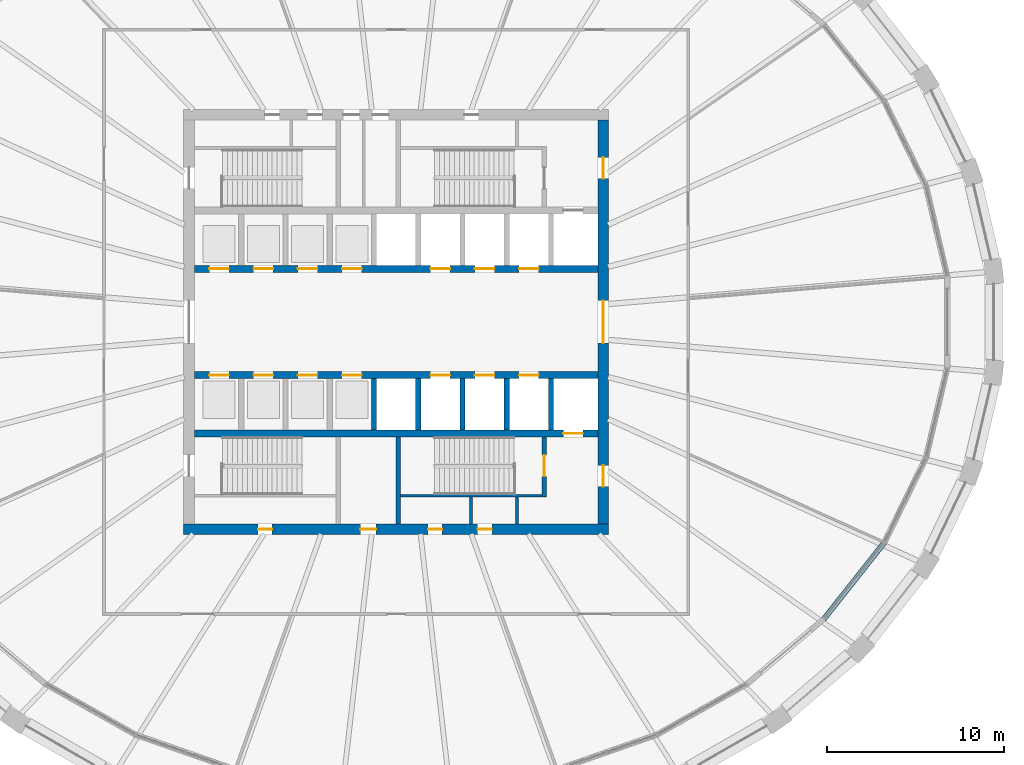
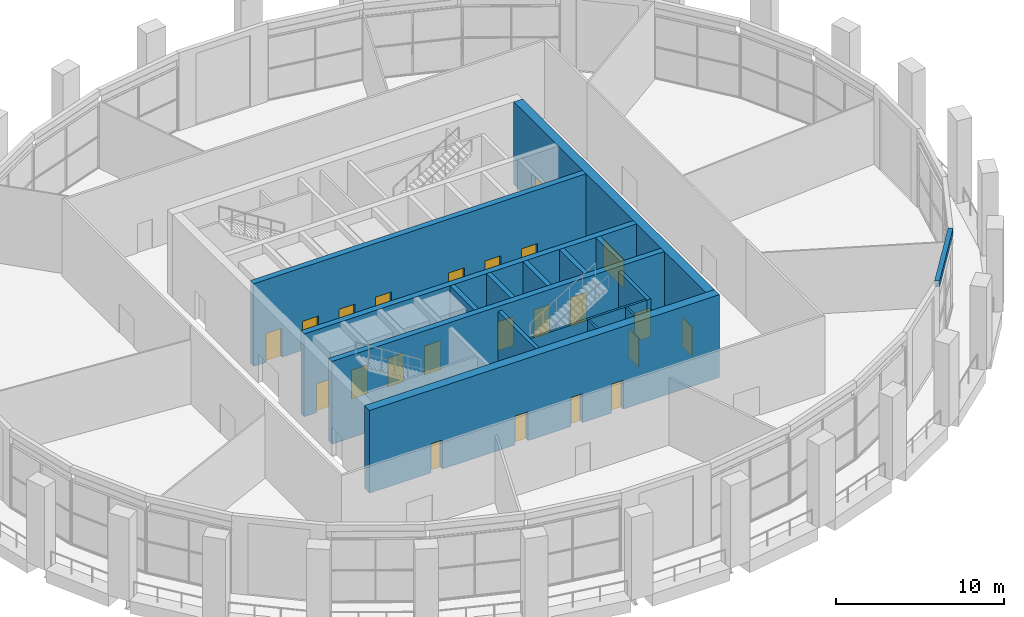
# One storey, part 13 of 19: 23 doors, 16 walls, 23 openings.
"""IFC4 building model written with IfcOpenShell, lengths in metres."""

from ifc_helpers import new_model, si_unit, direction, frame, frame_2d, origin, place, context, subcontext, project, spatial, polyline, rectangle, outline, extrude, material, layer, layer_set, type_object, element, fill, save


model = new_model("IFC4")

# Units and contexts
model_context = context("Model", 3, precision=1e-05, world=origin(), true_north=direction((0.0, 1.0)))
body_context = subcontext(model_context, "Body", "Model", "MODEL_VIEW")
ifc_project = project(units=[si_unit("LENGTHUNIT", "METRE"), si_unit("AREAUNIT", "SQUARE_METRE"), si_unit("VOLUMEUNIT", "CUBIC_METRE"), si_unit("PLANEANGLEUNIT", "RADIAN"), si_unit("MASSUNIT", "GRAM", prefix="KILO")], contexts=[model_context])

# Site, building, storey
site_placement = place(None, origin())
site = spatial("IfcSite", under=ifc_project, at=site_placement, CompositionType="ELEMENT")
building_placement = place(site_placement, origin())
building = spatial("IfcBuilding", under=site, at=building_placement, Name="Halqa Exchange Tower", CompositionType="ELEMENT")
storey_placement = place(building_placement, frame((0.0, 0.0, 167.5)))
storey = spatial("IfcBuildingStorey", under=building, at=storey_placement, Name="L38", CompositionType="ELEMENT", Elevation=167.5)

# Walls
ifc_material_1 = material(Name="Gypsum board")
ifc_layer_1 = layer(ifc_material_1, 0.14990234375)
ifc_layer_set_1 = layer_set([ifc_layer_1], Name="Gypsum board")
wall_type_1 = type_object("IfcWallType", Name="Penthouse riser wall 150 gypsum", PredefinedType="PARTITIONING", material=ifc_layer_set_1)
for number, where, z_axis, x_axis, name in (
    (1, (4.22509765625, -11.39990234375, 0.0), (0.0, 0.0, 1.0), (0.0, 1.0, 0.0), "Partition E4.225 S"),
    (2, (6.824951171875, -11.39990234375, 0.0), (0.0, 0.0, 1.0), (0.0, 1.0, 0.0), "Firefighting lobby west wall S"),
):
    element("IfcWall", number, at=place(storey_placement, frame(where, z_axis=z_axis, x_axis=x_axis)), inside=storey, type_object=wall_type_1, Name=name, PredefinedType="PARTITIONING", context=body_context, shape_type="SweptSolid", body=[
        extrude(rectangle(XDim=1.5, YDim=0.14990234375, at=frame_2d((0.75, 0.0))), origin(), (0.0, 0.0, 1.0), 5.64990234375),
    ])
ifc_material_2 = material(Name="Concrete C60/75", Category="concrete")
ifc_layer_2 = layer(ifc_material_2, 0.300048828125)
ifc_layer_set_2 = layer_set([ifc_layer_2], Name="Concrete C60/75")
wall_type_2 = type_object("IfcWallType", Name="RC core wall 300", PredefinedType="SHEAR", material=ifc_layer_set_2)
for number, where, z_axis, x_axis, name in (
    (3, (-1.25, -6.10009765625, 0.0), (0.0, 0.0, 1.0), (0.0, 1.0, 0.0), "Shaft divider S4"),
    (4, (1.25, -6.10009765625, 0.0), (0.0, 0.0, 1.0), (0.0, 1.0, 0.0), "Shaft divider S5"),
    (5, (3.75, -6.10009765625, 0.0), (0.0, 0.0, 1.0), (0.0, 1.0, 0.0), "Shaft divider S6"),
    (6, (6.25, -6.10009765625, 0.0), (0.0, 0.0, 1.0), (0.0, 1.0, 0.0), "Shaft divider S7"),
    (7, (8.75, -6.10009765625, 0.0), (0.0, 0.0, 1.0), (0.0, 1.0, 0.0), "Shaft divider S8"),
):
    element("IfcWall", number, at=place(storey_placement, frame(where, z_axis=z_axis, x_axis=x_axis)), inside=storey, type_object=wall_type_2, Name=name, PredefinedType="SHEAR", context=body_context, shape_type="SweptSolid", body=[
        extrude(rectangle(XDim=2.900146484375, YDim=0.300048828125, at=frame_2d((1.4501953125, 0.0))), origin(), (0.0, 0.0, 1.0), 6.0),
    ])

# Wall, openings, doors
ifc_material_3 = material(Name="Concrete C70/85", Category="concrete")
ifc_layer_3 = layer(ifc_material_3, 0.39990234375)
ifc_layer_set_3 = layer_set([ifc_layer_3], Name="Concrete C70/85")
wall_type_3 = type_object("IfcWallType", Name="RC core wall 400 C70/85", PredefinedType="SHEAR", material=ifc_layer_set_3)
wall_1_placement = place(storey_placement, frame((-11.39990234375, 3.0, 0.0), z_axis=(0.0, 0.0, 1.0), x_axis=(1.0, 0.0, 0.0)))
wall_1 = element("IfcWall", 8, at=wall_1_placement, inside=storey, type_object=wall_type_3, Name="Lift row front wall N", PredefinedType="SHEAR", context=body_context, shape_type="SweptSolid", body=[
    extrude(rectangle(XDim=22.7998046875, YDim=0.39990234375, at=frame_2d((11.39990234375, 0.0))), origin(), (0.0, 0.0, 1.0), 6.0),
])
opening_1_placement = place(wall_1_placement, frame((0.85009765625, 0.0, 0.0)))
opening_1 = element("IfcOpeningElement", 9, at=opening_1_placement, cuts=wall_1, Name="Opening LD-HR1-L38", PredefinedType="OPENING", context=body_context, shape_type="SweptSolid", body=[
    extrude(rectangle(XDim=1.10009765625, YDim=2.10009765625, at=frame_2d((0.550048828125, 1.050048828125))), frame((0.0, 0.2119140625, 0.0), z_axis=(0.0, -1.0, 0.0), x_axis=(1.0, 0.0, 0.0)), (0.0, 0.0, 1.0), 0.423828125),
])
opening_2_placement = place(wall_1_placement, frame((3.35009765625, 0.0, 0.0)))
opening_2 = element("IfcOpeningElement", 10, at=opening_2_placement, cuts=wall_1, Name="Opening LD-HR2-L38", PredefinedType="OPENING", context=body_context, shape_type="SweptSolid", body=[
    extrude(rectangle(XDim=1.10009765625, YDim=2.10009765625, at=frame_2d((0.550048828125, 1.050048828125))), frame((0.0, 0.2119140625, 0.0), z_axis=(0.0, -1.0, 0.0), x_axis=(1.0, 0.0, 0.0)), (0.0, 0.0, 1.0), 0.423828125),
])
opening_3_placement = place(wall_1_placement, frame((5.85009765625, 0.0, 0.0)))
opening_3 = element("IfcOpeningElement", 11, at=opening_3_placement, cuts=wall_1, Name="Opening LD-MR1-L38", PredefinedType="OPENING", context=body_context, shape_type="SweptSolid", body=[
    extrude(rectangle(XDim=1.10009765625, YDim=2.10009765625, at=frame_2d((0.550048828125, 1.050048828125))), frame((0.0, 0.2119140625, 0.0), z_axis=(0.0, -1.0, 0.0), x_axis=(1.0, 0.0, 0.0)), (0.0, 0.0, 1.0), 0.423828125),
])
opening_4_placement = place(wall_1_placement, frame((8.35009765625, 0.0, 0.0)))
opening_4 = element("IfcOpeningElement", 12, at=opening_4_placement, cuts=wall_1, Name="Opening LD-MR2-L38", PredefinedType="OPENING", context=body_context, shape_type="SweptSolid", body=[
    extrude(rectangle(XDim=1.10009765625, YDim=2.10009765625, at=frame_2d((0.550048828125, 1.050048828125))), frame((0.0, 0.2119140625, 0.0), z_axis=(0.0, -1.0, 0.0), x_axis=(1.0, 0.0, 0.0)), (0.0, 0.0, 1.0), 0.423828125),
])
opening_5_placement = place(wall_1_placement, frame((13.35009765625, 0.0, 0.0)))
opening_5 = element("IfcOpeningElement", 13, at=opening_5_placement, cuts=wall_1, Name="Opening LD-SH1-L38", PredefinedType="OPENING", context=body_context, shape_type="SweptSolid", body=[
    extrude(rectangle(XDim=1.10009765625, YDim=2.10009765625, at=frame_2d((0.550048828125, 1.050048828125))), frame((0.0, 0.2119140625, 0.0), z_axis=(0.0, -1.0, 0.0), x_axis=(1.0, 0.0, 0.0)), (0.0, 0.0, 1.0), 0.423828125),
])
opening_6_placement = place(wall_1_placement, frame((15.85009765625, 0.0, 0.0)))
opening_6 = element("IfcOpeningElement", 14, at=opening_6_placement, cuts=wall_1, Name="Opening LD-SH2-L38", PredefinedType="OPENING", context=body_context, shape_type="SweptSolid", body=[
    extrude(rectangle(XDim=1.10009765625, YDim=2.10009765625, at=frame_2d((0.550048828125, 1.050048828125))), frame((0.0, 0.2119140625, 0.0), z_axis=(0.0, -1.0, 0.0), x_axis=(1.0, 0.0, 0.0)), (0.0, 0.0, 1.0), 0.423828125),
])
opening_7_placement = place(wall_1_placement, frame((18.35009765625, 0.0, 0.0)))
opening_7 = element("IfcOpeningElement", 15, at=opening_7_placement, cuts=wall_1, Name="Opening LD-SV1-L38", PredefinedType="OPENING", context=body_context, shape_type="SweptSolid", body=[
    extrude(rectangle(XDim=1.10009765625, YDim=2.10009765625, at=frame_2d((0.550048828125, 1.050048828125))), frame((0.0, 0.2119140625, 0.0), z_axis=(0.0, -1.0, 0.0), x_axis=(1.0, 0.0, 0.0)), (0.0, 0.0, 1.0), 0.423828125),
])
ifc_material_4 = material(Name="Stainless steel", Category="steel")
door_type_1 = type_object("IfcDoorType", Name="Lift landing door 1100 x 2100", OperationType="SLIDING_TO_LEFT", PredefinedType="DOOR", material=ifc_material_4)
door_1_placement = place(opening_1_placement, origin())
door_1 = element("IfcDoor", 16, at=door_1_placement, inside=storey, type_object=door_type_1, Name="Lift landing door HR1", OperationType="SLIDING_TO_LEFT", OverallHeight=2.10009765625, OverallWidth=1.10009765625, PredefinedType="DOOR", context=body_context, shape_type="SweptSolid", body=[
    extrude(rectangle(XDim=1.10009765625, YDim=2.10009765625, at=frame_2d((0.550048828125, 1.050048828125))), frame((0.0, 0.02490234375, 0.0), z_axis=(0.0, -1.0, 0.0), x_axis=(1.0, 0.0, 0.0)), (0.0, 0.0, 1.0), 0.050048828125),
])
fill(opening_1, door_1)
door_2_placement = place(opening_2_placement, origin())
door_2 = element("IfcDoor", 17, at=door_2_placement, inside=storey, type_object=door_type_1, Name="Lift landing door HR2", OperationType="SLIDING_TO_LEFT", OverallHeight=2.10009765625, OverallWidth=1.10009765625, PredefinedType="DOOR", context=body_context, shape_type="SweptSolid", body=[
    extrude(rectangle(XDim=1.10009765625, YDim=2.10009765625, at=frame_2d((0.550048828125, 1.050048828125))), frame((0.0, 0.02490234375, 0.0), z_axis=(0.0, -1.0, 0.0), x_axis=(1.0, 0.0, 0.0)), (0.0, 0.0, 1.0), 0.050048828125),
])
fill(opening_2, door_2)
door_3_placement = place(opening_3_placement, origin())
door_3 = element("IfcDoor", 18, at=door_3_placement, inside=storey, type_object=door_type_1, Name="Lift landing door MR1", OperationType="SLIDING_TO_LEFT", OverallHeight=2.10009765625, OverallWidth=1.10009765625, PredefinedType="DOOR", context=body_context, shape_type="SweptSolid", body=[
    extrude(rectangle(XDim=1.10009765625, YDim=2.10009765625, at=frame_2d((0.550048828125, 1.050048828125))), frame((0.0, 0.02490234375, 0.0), z_axis=(0.0, -1.0, 0.0), x_axis=(1.0, 0.0, 0.0)), (0.0, 0.0, 1.0), 0.050048828125),
])
fill(opening_3, door_3)
door_4_placement = place(opening_4_placement, origin())
door_4 = element("IfcDoor", 19, at=door_4_placement, inside=storey, type_object=door_type_1, Name="Lift landing door MR2", OperationType="SLIDING_TO_LEFT", OverallHeight=2.10009765625, OverallWidth=1.10009765625, PredefinedType="DOOR", context=body_context, shape_type="SweptSolid", body=[
    extrude(rectangle(XDim=1.10009765625, YDim=2.10009765625, at=frame_2d((0.550048828125, 1.050048828125))), frame((0.0, 0.02490234375, 0.0), z_axis=(0.0, -1.0, 0.0), x_axis=(1.0, 0.0, 0.0)), (0.0, 0.0, 1.0), 0.050048828125),
])
fill(opening_4, door_4)
door_5_placement = place(opening_5_placement, origin())
door_5 = element("IfcDoor", 20, at=door_5_placement, inside=storey, type_object=door_type_1, Name="Lift landing door SH1", OperationType="SLIDING_TO_LEFT", OverallHeight=2.10009765625, OverallWidth=1.10009765625, PredefinedType="DOOR", context=body_context, shape_type="SweptSolid", body=[
    extrude(rectangle(XDim=1.10009765625, YDim=2.10009765625, at=frame_2d((0.550048828125, 1.050048828125))), frame((0.0, 0.02490234375, 0.0), z_axis=(0.0, -1.0, 0.0), x_axis=(1.0, 0.0, 0.0)), (0.0, 0.0, 1.0), 0.050048828125),
])
fill(opening_5, door_5)
door_6_placement = place(opening_6_placement, origin())
door_6 = element("IfcDoor", 21, at=door_6_placement, inside=storey, type_object=door_type_1, Name="Lift landing door SH2", OperationType="SLIDING_TO_LEFT", OverallHeight=2.10009765625, OverallWidth=1.10009765625, PredefinedType="DOOR", context=body_context, shape_type="SweptSolid", body=[
    extrude(rectangle(XDim=1.10009765625, YDim=2.10009765625, at=frame_2d((0.550048828125, 1.050048828125))), frame((0.0, 0.02490234375, 0.0), z_axis=(0.0, -1.0, 0.0), x_axis=(1.0, 0.0, 0.0)), (0.0, 0.0, 1.0), 0.050048828125),
])
fill(opening_6, door_6)
door_7_placement = place(opening_7_placement, origin())
door_7 = element("IfcDoor", 22, at=door_7_placement, inside=storey, type_object=door_type_1, Name="Lift landing door SV1", OperationType="SLIDING_TO_LEFT", OverallHeight=2.10009765625, OverallWidth=1.10009765625, PredefinedType="DOOR", context=body_context, shape_type="SweptSolid", body=[
    extrude(rectangle(XDim=1.10009765625, YDim=2.10009765625, at=frame_2d((0.550048828125, 1.050048828125))), frame((0.0, 0.02490234375, 0.0), z_axis=(0.0, -1.0, 0.0), x_axis=(1.0, 0.0, 0.0)), (0.0, 0.0, 1.0), 0.050048828125),
])
fill(opening_7, door_7)

wall_2_placement = place(storey_placement, frame((-11.39990234375, -3.0, 0.0), z_axis=(0.0, 0.0, 1.0), x_axis=(1.0, 0.0, 0.0)))
wall_2 = element("IfcWall", 23, at=wall_2_placement, inside=storey, type_object=wall_type_3, Name="Lift row front wall S", PredefinedType="SHEAR", context=body_context, shape_type="SweptSolid", body=[
    extrude(rectangle(XDim=22.7998046875, YDim=0.39990234375, at=frame_2d((11.39990234375, 0.0))), origin(), (0.0, 0.0, 1.0), 6.0),
])
opening_8_placement = place(wall_2_placement, frame((0.85009765625, 0.0, 0.0)))
opening_8 = element("IfcOpeningElement", 24, at=opening_8_placement, cuts=wall_2, Name="Opening LD-HR3-L38", PredefinedType="OPENING", context=body_context, shape_type="SweptSolid", body=[
    extrude(rectangle(XDim=1.10009765625, YDim=2.10009765625, at=frame_2d((0.550048828125, 1.050048828125))), frame((0.0, 0.2119140625, 0.0), z_axis=(0.0, -1.0, 0.0), x_axis=(1.0, 0.0, 0.0)), (0.0, 0.0, 1.0), 0.423828125),
])
opening_9_placement = place(wall_2_placement, frame((3.35009765625, 0.0, 0.0)))
opening_9 = element("IfcOpeningElement", 25, at=opening_9_placement, cuts=wall_2, Name="Opening LD-HR4-L38", PredefinedType="OPENING", context=body_context, shape_type="SweptSolid", body=[
    extrude(rectangle(XDim=1.10009765625, YDim=2.10009765625, at=frame_2d((0.550048828125, 1.050048828125))), frame((0.0, 0.2119140625, 0.0), z_axis=(0.0, -1.0, 0.0), x_axis=(1.0, 0.0, 0.0)), (0.0, 0.0, 1.0), 0.423828125),
])
opening_10_placement = place(wall_2_placement, frame((5.85009765625, 0.0, 0.0)))
opening_10 = element("IfcOpeningElement", 26, at=opening_10_placement, cuts=wall_2, Name="Opening LD-MR3-L38", PredefinedType="OPENING", context=body_context, shape_type="SweptSolid", body=[
    extrude(rectangle(XDim=1.10009765625, YDim=2.10009765625, at=frame_2d((0.550048828125, 1.050048828125))), frame((0.0, 0.2119140625, 0.0), z_axis=(0.0, -1.0, 0.0), x_axis=(1.0, 0.0, 0.0)), (0.0, 0.0, 1.0), 0.423828125),
])
opening_11_placement = place(wall_2_placement, frame((8.35009765625, 0.0, 0.0)))
opening_11 = element("IfcOpeningElement", 27, at=opening_11_placement, cuts=wall_2, Name="Opening LD-MR4-L38", PredefinedType="OPENING", context=body_context, shape_type="SweptSolid", body=[
    extrude(rectangle(XDim=1.10009765625, YDim=2.10009765625, at=frame_2d((0.550048828125, 1.050048828125))), frame((0.0, 0.2119140625, 0.0), z_axis=(0.0, -1.0, 0.0), x_axis=(1.0, 0.0, 0.0)), (0.0, 0.0, 1.0), 0.423828125),
])
opening_12_placement = place(wall_2_placement, frame((13.35009765625, 0.0, 0.0)))
opening_12 = element("IfcOpeningElement", 28, at=opening_12_placement, cuts=wall_2, Name="Opening LD-SH3-L38", PredefinedType="OPENING", context=body_context, shape_type="SweptSolid", body=[
    extrude(rectangle(XDim=1.10009765625, YDim=2.10009765625, at=frame_2d((0.550048828125, 1.050048828125))), frame((0.0, 0.2119140625, 0.0), z_axis=(0.0, -1.0, 0.0), x_axis=(1.0, 0.0, 0.0)), (0.0, 0.0, 1.0), 0.423828125),
])
opening_13_placement = place(wall_2_placement, frame((15.85009765625, 0.0, 0.0)))
opening_13 = element("IfcOpeningElement", 29, at=opening_13_placement, cuts=wall_2, Name="Opening LD-SH4-L38", PredefinedType="OPENING", context=body_context, shape_type="SweptSolid", body=[
    extrude(rectangle(XDim=1.10009765625, YDim=2.10009765625, at=frame_2d((0.550048828125, 1.050048828125))), frame((0.0, 0.2119140625, 0.0), z_axis=(0.0, -1.0, 0.0), x_axis=(1.0, 0.0, 0.0)), (0.0, 0.0, 1.0), 0.423828125),
])
opening_14_placement = place(wall_2_placement, frame((18.35009765625, 0.0, 0.0)))
opening_14 = element("IfcOpeningElement", 30, at=opening_14_placement, cuts=wall_2, Name="Opening LD-SV2-L38", PredefinedType="OPENING", context=body_context, shape_type="SweptSolid", body=[
    extrude(rectangle(XDim=1.10009765625, YDim=2.10009765625, at=frame_2d((0.550048828125, 1.050048828125))), frame((0.0, 0.2119140625, 0.0), z_axis=(0.0, -1.0, 0.0), x_axis=(1.0, 0.0, 0.0)), (0.0, 0.0, 1.0), 0.423828125),
])
door_8_placement = place(opening_8_placement, origin())
door_8 = element("IfcDoor", 31, at=door_8_placement, inside=storey, type_object=door_type_1, Name="Lift landing door HR3", OperationType="SLIDING_TO_LEFT", OverallHeight=2.10009765625, OverallWidth=1.10009765625, PredefinedType="DOOR", context=body_context, shape_type="SweptSolid", body=[
    extrude(rectangle(XDim=1.10009765625, YDim=2.10009765625, at=frame_2d((0.550048828125, 1.050048828125))), frame((0.0, 0.02490234375, 0.0), z_axis=(0.0, -1.0, 0.0), x_axis=(1.0, 0.0, 0.0)), (0.0, 0.0, 1.0), 0.050048828125),
])
fill(opening_8, door_8)
door_9_placement = place(opening_9_placement, origin())
door_9 = element("IfcDoor", 32, at=door_9_placement, inside=storey, type_object=door_type_1, Name="Lift landing door HR4", OperationType="SLIDING_TO_LEFT", OverallHeight=2.10009765625, OverallWidth=1.10009765625, PredefinedType="DOOR", context=body_context, shape_type="SweptSolid", body=[
    extrude(rectangle(XDim=1.10009765625, YDim=2.10009765625, at=frame_2d((0.550048828125, 1.050048828125))), frame((0.0, 0.02490234375, 0.0), z_axis=(0.0, -1.0, 0.0), x_axis=(1.0, 0.0, 0.0)), (0.0, 0.0, 1.0), 0.050048828125),
])
fill(opening_9, door_9)
door_10_placement = place(opening_10_placement, origin())
door_10 = element("IfcDoor", 33, at=door_10_placement, inside=storey, type_object=door_type_1, Name="Lift landing door MR3", OperationType="SLIDING_TO_LEFT", OverallHeight=2.10009765625, OverallWidth=1.10009765625, PredefinedType="DOOR", context=body_context, shape_type="SweptSolid", body=[
    extrude(rectangle(XDim=1.10009765625, YDim=2.10009765625, at=frame_2d((0.550048828125, 1.050048828125))), frame((0.0, 0.02490234375, 0.0), z_axis=(0.0, -1.0, 0.0), x_axis=(1.0, 0.0, 0.0)), (0.0, 0.0, 1.0), 0.050048828125),
])
fill(opening_10, door_10)
door_11_placement = place(opening_11_placement, origin())
door_11 = element("IfcDoor", 34, at=door_11_placement, inside=storey, type_object=door_type_1, Name="Lift landing door MR4", OperationType="SLIDING_TO_LEFT", OverallHeight=2.10009765625, OverallWidth=1.10009765625, PredefinedType="DOOR", context=body_context, shape_type="SweptSolid", body=[
    extrude(rectangle(XDim=1.10009765625, YDim=2.10009765625, at=frame_2d((0.550048828125, 1.050048828125))), frame((0.0, 0.02490234375, 0.0), z_axis=(0.0, -1.0, 0.0), x_axis=(1.0, 0.0, 0.0)), (0.0, 0.0, 1.0), 0.050048828125),
])
fill(opening_11, door_11)
door_12_placement = place(opening_12_placement, origin())
door_12 = element("IfcDoor", 35, at=door_12_placement, inside=storey, type_object=door_type_1, Name="Lift landing door SH3", OperationType="SLIDING_TO_LEFT", OverallHeight=2.10009765625, OverallWidth=1.10009765625, PredefinedType="DOOR", context=body_context, shape_type="SweptSolid", body=[
    extrude(rectangle(XDim=1.10009765625, YDim=2.10009765625, at=frame_2d((0.550048828125, 1.050048828125))), frame((0.0, 0.02490234375, 0.0), z_axis=(0.0, -1.0, 0.0), x_axis=(1.0, 0.0, 0.0)), (0.0, 0.0, 1.0), 0.050048828125),
])
fill(opening_12, door_12)
door_13_placement = place(opening_13_placement, origin())
door_13 = element("IfcDoor", 36, at=door_13_placement, inside=storey, type_object=door_type_1, Name="Lift landing door SH4", OperationType="SLIDING_TO_LEFT", OverallHeight=2.10009765625, OverallWidth=1.10009765625, PredefinedType="DOOR", context=body_context, shape_type="SweptSolid", body=[
    extrude(rectangle(XDim=1.10009765625, YDim=2.10009765625, at=frame_2d((0.550048828125, 1.050048828125))), frame((0.0, 0.02490234375, 0.0), z_axis=(0.0, -1.0, 0.0), x_axis=(1.0, 0.0, 0.0)), (0.0, 0.0, 1.0), 0.050048828125),
])
fill(opening_13, door_13)
door_14_placement = place(opening_14_placement, origin())
door_14 = element("IfcDoor", 37, at=door_14_placement, inside=storey, type_object=door_type_1, Name="Lift landing door SV2", OperationType="SLIDING_TO_LEFT", OverallHeight=2.10009765625, OverallWidth=1.10009765625, PredefinedType="DOOR", context=body_context, shape_type="SweptSolid", body=[
    extrude(rectangle(XDim=1.10009765625, YDim=2.10009765625, at=frame_2d((0.550048828125, 1.050048828125))), frame((0.0, 0.02490234375, 0.0), z_axis=(0.0, -1.0, 0.0), x_axis=(1.0, 0.0, 0.0)), (0.0, 0.0, 1.0), 0.050048828125),
])
fill(opening_14, door_14)

# Wall, opening, door
wall_3_placement = place(storey_placement, frame((-11.39990234375, -6.300048828125, 0.0), z_axis=(0.0, 0.0, 1.0), x_axis=(1.0, 0.0, 0.0)))
wall_3 = element("IfcWall", 38, at=wall_3_placement, inside=storey, type_object=wall_type_3, Name="Lift row back wall S", PredefinedType="SHEAR", context=body_context, shape_type="SweptSolid", body=[
    extrude(rectangle(XDim=22.7998046875, YDim=0.39990234375, at=frame_2d((11.39990234375, 0.0))), origin(), (0.0, 0.0, 1.0), 6.0),
])
opening_15_placement = place(wall_3_placement, frame((20.85009765625, 0.0, 0.0)))
opening_15 = element("IfcOpeningElement", 39, at=opening_15_placement, cuts=wall_3, Name="Opening LD-FF2-L38", PredefinedType="OPENING", context=body_context, shape_type="SweptSolid", body=[
    extrude(rectangle(XDim=1.10009765625, YDim=2.10009765625, at=frame_2d((0.550048828125, 1.050048828125))), frame((0.0, 0.2119140625, 0.0), z_axis=(0.0, -1.0, 0.0), x_axis=(1.0, 0.0, 0.0)), (0.0, 0.0, 1.0), 0.423828125),
])
door_15_placement = place(opening_15_placement, origin())
door_15 = element("IfcDoor", 40, at=door_15_placement, inside=storey, type_object=door_type_1, Name="Lift landing door FF2", OperationType="SLIDING_TO_LEFT", OverallHeight=2.10009765625, OverallWidth=1.10009765625, PredefinedType="DOOR", context=body_context, shape_type="SweptSolid", body=[
    extrude(rectangle(XDim=1.10009765625, YDim=2.10009765625, at=frame_2d((0.550048828125, 1.050048828125))), frame((0.0, 0.02490234375, 0.0), z_axis=(0.0, -1.0, 0.0), x_axis=(1.0, 0.0, 0.0)), (0.0, 0.0, 1.0), 0.050048828125),
])
fill(opening_15, door_15)

# Wall, openings, doors
ifc_layer_4 = layer(ifc_material_3, 0.60009765625)
ifc_layer_set_4 = layer_set([ifc_layer_4], Name="Concrete C70/85")
wall_type_4 = type_object("IfcWallType", Name="RC core wall 600 C70/85", PredefinedType="SHEAR", material=ifc_layer_set_4)
wall_4_placement = place(storey_placement, frame((-12.0, -11.699951171875, 0.0), z_axis=(0.0, 0.0, 1.0), x_axis=(1.0, 0.0, 0.0)))
wall_4 = element("IfcWall", 41, at=wall_4_placement, inside=storey, type_object=wall_type_4, Name="Core wall south", PredefinedType="SHEAR", context=body_context, shape_type="SweptSolid", body=[
    extrude(rectangle(XDim=24.0, YDim=0.60009765625, at=frame_2d((12.0, 0.0))), origin(), (0.0, 0.0, 1.0), 6.0),
])
opening_16_placement = place(wall_4_placement, frame((9.97509765625, 0.0, 0.0)))
opening_16 = element("IfcOpeningElement", 42, at=opening_16_placement, cuts=wall_4, Name="Opening L38-C30", PredefinedType="OPENING", context=body_context, shape_type="SweptSolid", body=[
    extrude(rectangle(XDim=0.89990234375, YDim=2.10009765625, at=frame_2d((0.449951171875, 1.050048828125))), frame((0.0, 0.31201171875, 0.0), z_axis=(0.0, -1.0, 0.0), x_axis=(1.0, 0.0, 0.0)), (0.0, 0.0, 1.0), 0.6240234375),
])
opening_17_placement = place(wall_4_placement, frame((4.199951171875, 0.0, 0.0)))
opening_17 = element("IfcOpeningElement", 43, at=opening_17_placement, cuts=wall_4, Name="Opening L38-C31", PredefinedType="OPENING", context=body_context, shape_type="SweptSolid", body=[
    extrude(rectangle(XDim=0.800048828125, YDim=2.10009765625, at=frame_2d((0.39990234375, 1.050048828125))), frame((0.0, 0.31201171875, 0.0), z_axis=(0.0, -1.0, 0.0), x_axis=(1.0, 0.0, 0.0)), (0.0, 0.0, 1.0), 0.6240234375),
])
opening_18_placement = place(wall_4_placement, frame((13.800048828125, 0.0, 0.0)))
opening_18 = element("IfcOpeningElement", 44, at=opening_18_placement, cuts=wall_4, Name="Opening L38-C32", PredefinedType="OPENING", context=body_context, shape_type="SweptSolid", body=[
    extrude(rectangle(XDim=0.800048828125, YDim=2.10009765625, at=frame_2d((0.39990234375, 1.050048828125))), frame((0.0, 0.31201171875, 0.0), z_axis=(0.0, -1.0, 0.0), x_axis=(1.0, 0.0, 0.0)), (0.0, 0.0, 1.0), 0.6240234375),
])
opening_19_placement = place(wall_4_placement, frame((16.60009765625, 0.0, 0.0)))
opening_19 = element("IfcOpeningElement", 45, at=opening_19_placement, cuts=wall_4, Name="Opening L38-C33", PredefinedType="OPENING", context=body_context, shape_type="SweptSolid", body=[
    extrude(rectangle(XDim=0.800048828125, YDim=2.10009765625, at=frame_2d((0.39990234375, 1.050048828125))), frame((0.0, 0.31201171875, 0.0), z_axis=(0.0, -1.0, 0.0), x_axis=(1.0, 0.0, 0.0)), (0.0, 0.0, 1.0), 0.6240234375),
])
ifc_material_5 = material(Name="Timber fire door leaf", Category="wood")
door_type_2 = type_object("IfcDoorType", Name="Core room door FD30 900 x 2100", OperationType="SINGLE_SWING_LEFT", PredefinedType="DOOR", material=ifc_material_5)
door_16_placement = place(opening_16_placement, origin())
door_16 = element("IfcDoor", 46, at=door_16_placement, inside=storey, type_object=door_type_2, Name="Core room door", OperationType="SINGLE_SWING_LEFT", OverallHeight=2.10009765625, OverallWidth=0.89990234375, PredefinedType="DOOR", context=body_context, shape_type="SweptSolid", body=[
    extrude(rectangle(XDim=0.89990234375, YDim=2.10009765625, at=frame_2d((0.449951171875, 1.050048828125))), frame((0.0, 0.02490234375, 0.0), z_axis=(0.0, -1.0, 0.0), x_axis=(1.0, 0.0, 0.0)), (0.0, 0.0, 1.0), 0.050048828125),
])
fill(opening_16, door_16)
ifc_material_6 = material(Name="Steel fire door leaf", Category="steel")
door_type_3 = type_object("IfcDoorType", Name="Riser door FD60 800 x 2100", OperationType="SINGLE_SWING_LEFT", PredefinedType="DOOR", material=ifc_material_6)
door_17_placement = place(opening_17_placement, origin())
door_17 = element("IfcDoor", 47, at=door_17_placement, inside=storey, type_object=door_type_3, Name="Core room door", OperationType="SINGLE_SWING_LEFT", OverallHeight=2.10009765625, OverallWidth=0.800048828125, PredefinedType="DOOR", context=body_context, shape_type="SweptSolid", body=[
    extrude(rectangle(XDim=0.800048828125, YDim=2.10009765625, at=frame_2d((0.39990234375, 1.050048828125))), frame((0.0, 0.02490234375, 0.0), z_axis=(0.0, -1.0, 0.0), x_axis=(1.0, 0.0, 0.0)), (0.0, 0.0, 1.0), 0.050048828125),
])
fill(opening_17, door_17)
door_18_placement = place(opening_18_placement, origin())
door_18 = element("IfcDoor", 48, at=door_18_placement, inside=storey, type_object=door_type_3, Name="Core room door", OperationType="SINGLE_SWING_LEFT", OverallHeight=2.10009765625, OverallWidth=0.800048828125, PredefinedType="DOOR", context=body_context, shape_type="SweptSolid", body=[
    extrude(rectangle(XDim=0.800048828125, YDim=2.10009765625, at=frame_2d((0.39990234375, 1.050048828125))), frame((0.0, 0.02490234375, 0.0), z_axis=(0.0, -1.0, 0.0), x_axis=(1.0, 0.0, 0.0)), (0.0, 0.0, 1.0), 0.050048828125),
])
fill(opening_18, door_18)
door_19_placement = place(opening_19_placement, origin())
door_19 = element("IfcDoor", 49, at=door_19_placement, inside=storey, type_object=door_type_3, Name="Core room door", OperationType="SINGLE_SWING_RIGHT", OverallHeight=2.10009765625, OverallWidth=0.800048828125, PredefinedType="DOOR", context=body_context, shape_type="SweptSolid", body=[
    extrude(rectangle(XDim=0.800048828125, YDim=2.10009765625, at=frame_2d((0.39990234375, 1.050048828125))), frame((0.0, 0.02490234375, 0.0), z_axis=(0.0, -1.0, 0.0), x_axis=(1.0, 0.0, 0.0)), (0.0, 0.0, 1.0), 0.050048828125),
])
fill(opening_19, door_19)

wall_5_placement = place(storey_placement, frame((11.699951171875, -11.39990234375, 0.0), z_axis=(0.0, 0.0, 1.0), x_axis=(0.0, 1.0, 0.0)))
wall_5 = element("IfcWall", 50, at=wall_5_placement, inside=storey, type_object=wall_type_4, Name="Core wall east", PredefinedType="SHEAR", context=body_context, shape_type="SweptSolid", body=[
    extrude(rectangle(XDim=22.7998046875, YDim=0.60009765625, at=frame_2d((11.39990234375, 0.0))), origin(), (0.0, 0.0, 1.0), 6.0),
])
opening_20_placement = place(wall_5_placement, frame((10.199951171875, 0.0, 0.0)))
opening_20 = element("IfcOpeningElement", 51, at=opening_20_placement, cuts=wall_5, Name="Opening L38-C18", PredefinedType="OPENING", context=body_context, shape_type="SweptSolid", body=[
    extrude(rectangle(XDim=2.39990234375, YDim=2.10009765625, at=frame_2d((1.199951171875, 1.050048828125))), frame((0.0, 0.31201171875, 0.0), z_axis=(0.0, -1.0, 0.0), x_axis=(1.0, 0.0, 0.0)), (0.0, 0.0, 1.0), 0.6240234375),
])
opening_21_placement = place(wall_5_placement, frame((19.5, 0.0, 0.0)))
opening_21 = element("IfcOpeningElement", 52, at=opening_21_placement, cuts=wall_5, Name="Opening L38-C23", PredefinedType="OPENING", context=body_context, shape_type="SweptSolid", body=[
    extrude(rectangle(XDim=1.199951171875, YDim=2.10009765625, at=frame_2d((0.60009765625, 1.050048828125))), frame((0.0, 0.31201171875, 0.0), z_axis=(0.0, -1.0, 0.0), x_axis=(1.0, 0.0, 0.0)), (0.0, 0.0, 1.0), 0.6240234375),
])
opening_22_placement = place(wall_5_placement, frame((2.10009765625, 0.0, 0.0)))
opening_22 = element("IfcOpeningElement", 53, at=opening_22_placement, cuts=wall_5, Name="Opening L38-C24", PredefinedType="OPENING", context=body_context, shape_type="SweptSolid", body=[
    extrude(rectangle(XDim=1.199951171875, YDim=2.10009765625, at=frame_2d((0.60009765625, 1.050048828125))), frame((0.0, 0.31201171875, 0.0), z_axis=(0.0, -1.0, 0.0), x_axis=(1.0, 0.0, 0.0)), (0.0, 0.0, 1.0), 0.6240234375),
])
door_type_4 = type_object("IfcDoorType", Name="Firefighting lobby door FD90 1200 x 2100", OperationType="SINGLE_SWING_RIGHT", PredefinedType="DOOR", material=ifc_material_6)
door_20_placement = place(opening_21_placement, origin())
door_20 = element("IfcDoor", 54, at=door_20_placement, inside=storey, type_object=door_type_4, Name="Firefighting lobby door", OperationType="SINGLE_SWING_RIGHT", OverallHeight=2.10009765625, OverallWidth=1.199951171875, PredefinedType="DOOR", context=body_context, shape_type="SweptSolid", body=[
    extrude(rectangle(XDim=1.199951171875, YDim=2.10009765625, at=frame_2d((0.60009765625, 1.050048828125))), frame((0.0, 0.02490234375, 0.0), z_axis=(0.0, -1.0, 0.0), x_axis=(1.0, 0.0, 0.0)), (0.0, 0.0, 1.0), 0.050048828125),
])
fill(opening_21, door_20)
door_21_placement = place(opening_22_placement, origin())
door_21 = element("IfcDoor", 55, at=door_21_placement, inside=storey, type_object=door_type_4, Name="Firefighting lobby door", OperationType="SINGLE_SWING_LEFT", OverallHeight=2.10009765625, OverallWidth=1.199951171875, PredefinedType="DOOR", context=body_context, shape_type="SweptSolid", body=[
    extrude(rectangle(XDim=1.199951171875, YDim=2.10009765625, at=frame_2d((0.60009765625, 1.050048828125))), frame((0.0, 0.02490234375, 0.0), z_axis=(0.0, -1.0, 0.0), x_axis=(1.0, 0.0, 0.0)), (0.0, 0.0, 1.0), 0.050048828125),
])
fill(opening_22, door_21)
door_type_5 = type_object("IfcDoorType", Name="Lobby double door FD60 2400 x 2100", OperationType="DOUBLE_DOOR_SINGLE_SWING", PredefinedType="DOOR", material=ifc_material_6)
door_22_placement = place(opening_20_placement, origin())
door_22 = element("IfcDoor", 56, at=door_22_placement, inside=storey, type_object=door_type_5, Name="Lift lobby double door", OperationType="DOUBLE_DOOR_SINGLE_SWING", OverallHeight=2.10009765625, OverallWidth=2.39990234375, PredefinedType="DOOR", context=body_context, shape_type="SweptSolid", body=[
    extrude(rectangle(XDim=2.39990234375, YDim=2.10009765625, at=frame_2d((1.199951171875, 1.050048828125))), frame((0.0, 0.02490234375, 0.0), z_axis=(0.0, -1.0, 0.0), x_axis=(1.0, 0.0, 0.0)), (0.0, 0.0, 1.0), 0.050048828125),
])
fill(opening_20, door_22)

# Walls
ifc_material_7 = material(Name="Concrete C30/37", Category="concrete")
ifc_layer_5 = layer(ifc_material_7, 0.14990234375)
ifc_layer_set_5 = layer_set([ifc_layer_5], Name="Concrete C30/37")
wall_type_5 = type_object("IfcWallType", Name="RC stair wall 150 C30/37", PredefinedType="SHEAR", material=ifc_layer_set_5)
wall_6_placement = place(storey_placement, frame((0.25, -9.824951171875, 0.0), z_axis=(0.0, 0.0, 1.0), x_axis=(1.0, 0.0, 0.0)))
element("IfcWall", 57, at=wall_6_placement, inside=storey, type_object=wall_type_5, Name="Stair ST2 north wall S", PredefinedType="SHEAR", context=body_context, shape_type="SweptSolid", body=[
    extrude(rectangle(XDim=8.0, YDim=0.14990234375, at=frame_2d((4.0, 0.0))), origin(), (0.0, 0.0, 1.0), 5.64990234375),
])
ifc_layer_6 = layer(ifc_material_7, 0.25)
ifc_layer_set_6 = layer_set([ifc_layer_6], Name="Concrete C30/37")
wall_type_6 = type_object("IfcWallType", Name="RC stair wall 250 C30/37", PredefinedType="SHEAR", material=ifc_layer_set_6)
wall_7_placement = place(storey_placement, frame((0.125, -11.39990234375, 0.0), z_axis=(0.0, 0.0, 1.0), x_axis=(0.0, 1.0, 0.0)))
element("IfcWall", 58, at=wall_7_placement, inside=storey, type_object=wall_type_6, Name="Stair ST2 west wall S", PredefinedType="SHEAR", context=body_context, shape_type="SweptSolid", body=[
    extrude(rectangle(XDim=4.89990234375, YDim=0.25, at=frame_2d((2.449951171875, 0.0))), origin(), (0.0, 0.0, 1.0), 5.64990234375),
])

# Wall, opening, door
wall_8_placement = place(storey_placement, frame((8.375, -9.89990234375, 0.0), z_axis=(0.0, 0.0, 1.0), x_axis=(0.0, 1.0, 0.0)))
wall_8 = element("IfcWall", 59, at=wall_8_placement, inside=storey, type_object=wall_type_6, Name="Stair ST2 east wall S", PredefinedType="SHEAR", context=body_context, shape_type="SweptSolid", body=[
    extrude(rectangle(XDim=3.39990234375, YDim=0.25, at=frame_2d((1.699951171875, 0.0))), origin(), (0.0, 0.0, 1.0), 5.64990234375),
])
opening_23_placement = place(wall_8_placement, frame((1.175048828125, 0.0, 0.0)))
opening_23 = element("IfcOpeningElement", 60, at=opening_23_placement, cuts=wall_8, Name="Opening L38-C22", PredefinedType="OPENING", context=body_context, shape_type="SweptSolid", body=[
    extrude(rectangle(XDim=1.199951171875, YDim=2.10009765625, at=frame_2d((0.60009765625, 1.050048828125))), frame((0.0, 0.136962890625, 0.0), z_axis=(0.0, -1.0, 0.0), x_axis=(1.0, 0.0, 0.0)), (0.0, 0.0, 1.0), 0.27392578125),
])
door_type_6 = type_object("IfcDoorType", Name="Stair door FD90 1200 x 2100", OperationType="SINGLE_SWING_LEFT", PredefinedType="DOOR", material=ifc_material_6)
door_23_placement = place(opening_23_placement, origin())
door_23 = element("IfcDoor", 61, at=door_23_placement, inside=storey, type_object=door_type_6, Name="Stair door ST4", OperationType="SINGLE_SWING_RIGHT", OverallHeight=2.10009765625, OverallWidth=1.199951171875, PredefinedType="DOOR", context=body_context, shape_type="SweptSolid", body=[
    extrude(rectangle(XDim=1.199951171875, YDim=2.10009765625, at=frame_2d((0.60009765625, 1.050048828125))), frame((0.0, 0.02490234375, 0.0), z_axis=(0.0, -1.0, 0.0), x_axis=(1.0, 0.0, 0.0)), (0.0, 0.0, 1.0), 0.050048828125),
])
fill(opening_23, door_23)

# Wall
ifc_material_8 = material(Name="Limestone cladding", Category="masonry")
ifc_layer_7 = layer(ifc_material_8, 0.0400390625)
ifc_material_9 = material(Name="Ventilated cavity")
ifc_layer_8 = layer(ifc_material_9, 0.030029296875, ventilated=True)
ifc_material_10 = material(Name="Mineral wool insulation")
ifc_layer_9 = layer(ifc_material_10, 0.10009765625)
ifc_layer_10 = layer(ifc_material_7, 0.10009765625)
ifc_material_11 = material(Name="Internal plaster")
ifc_layer_11 = layer(ifc_material_11, 0.030029296875)
ifc_layer_set_7 = layer_set([ifc_layer_7, ifc_layer_8, ifc_layer_9, ifc_layer_10, ifc_layer_11], Name="Stone-faced spandrel wall 300")
wall_type_7 = type_object("IfcWallType", Name="Stone-faced spandrel wall 300", PredefinedType="STANDARD", material=ifc_layer_set_7)
wall_9_placement = place(storey_placement, frame((24.165283203125, -16.773681640625, 5.199951171875), z_axis=(0.0, 0.0, 1.0), x_axis=(0.620577705153, 0.784144955902, 0.0)))
element("IfcWall", 62, at=wall_9_placement, inside=storey, type_object=wall_type_7, Name="Spandrel wall 29", PredefinedType="STANDARD", context=body_context, shape_type="SweptSolid", body=[
    extrude(outline(polyline([(-0.01513671875, -0.14990234375), (5.5087890625, -0.14990234375), (5.4765625, 0.14990234375), (0.01513671875, 0.14990234375), (-0.01513671875, -0.14990234375)])), origin(), (0.0, 0.0, 1.0), 0.449951171875),
])

save(model, "model.ifc")
